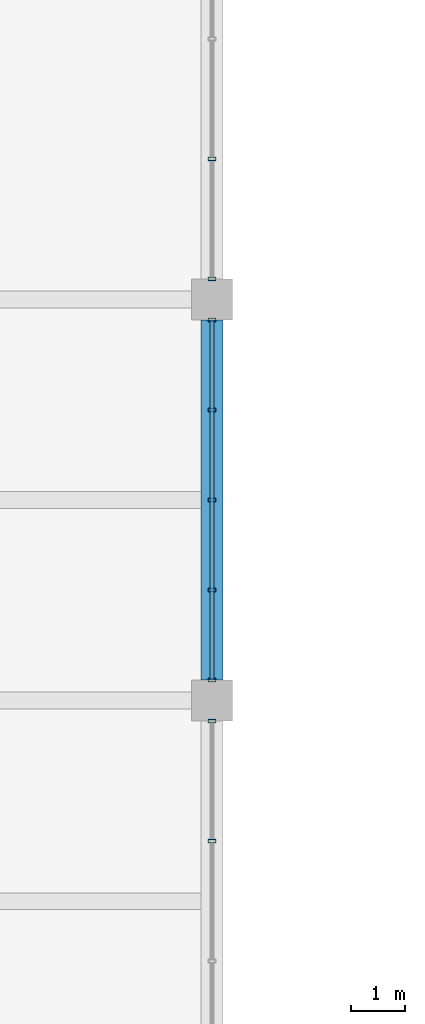
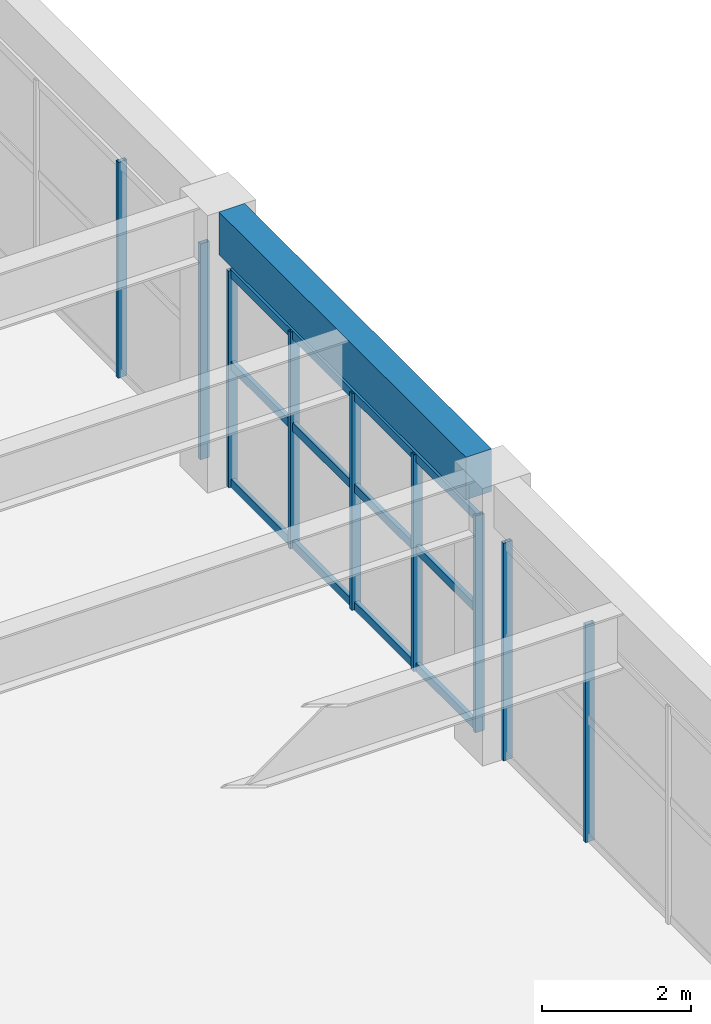
# One storey, part 60 of 161: 12 members, 1 beam, 3 elements without a shape of their own.
"""IFC4 building model written with IfcOpenShell, lengths in metres."""

from ifc_helpers import new_model, si_unit, direction, frame, origin, origin_2d, place, context, subcontext, project, spatial, rectangle, hollow_rectangle, extrude, material, material_profile, profile_set, type_object, element, aggregate, save


model = new_model("IFC4")

# Units and contexts
model_context = context("Model", 3, precision=1e-05, world=origin(), true_north=direction((0.0, 1.0)))
body_context = subcontext(model_context, "Body", "Model", "MODEL_VIEW")
ifc_project = project(units=[si_unit("LENGTHUNIT", "METRE"), si_unit("AREAUNIT", "SQUARE_METRE"), si_unit("VOLUMEUNIT", "CUBIC_METRE"), si_unit("PLANEANGLEUNIT", "RADIAN"), si_unit("MASSUNIT", "GRAM", prefix="KILO")], contexts=[model_context])

# Site, building, storey
site_placement = place(None, origin())
site = spatial("IfcSite", under=ifc_project, at=site_placement, CompositionType="ELEMENT")
building_placement = place(site_placement, origin())
building = spatial("IfcBuilding", under=site, at=building_placement, Name="Cimatlan Art Gallery", CompositionType="ELEMENT")
storey_placement = place(building_placement, frame((0.0, 0.0, 5.39990234375)))
storey = spatial("IfcBuildingStorey", under=building, at=storey_placement, Name="L01", CompositionType="ELEMENT", Elevation=5.39990234375)

# Beam
ifc_material_1 = material(Name="Concrete C40/50", Category="concrete")
ifc_material_profile_1 = material_profile(ifc_material_1, rectangle(XDim=0.39990234375, YDim=0.699951171875, at=origin_2d()), Name="RC400X700")
ifc_profile_set_1 = profile_set([ifc_material_profile_1], Name="Concrete C40/50")
beam_type = type_object("IfcBeamType", Name="BM-RC-400X700", PredefinedType="BEAM", material=ifc_profile_set_1)
beam_placement = place(storey_placement, frame((99.199951171875, 53.875, 4.210205078125), z_axis=(0.0, 1.0, 0.0), x_axis=(-1.0, 0.0, 0.0)))
element("IfcBeam", 1, at=beam_placement, inside=storey, type_object=beam_type, Name="BM-Y-L01-12-07", PredefinedType="BEAM", context=body_context, shape_type="SweptSolid", body=[
    extrude(rectangle(XDim=0.39990234375, YDim=0.699951171875, at=origin_2d()), origin(), (0.0, 0.0, 1.0), 6.64990234375),
])

# Curtain wall, members
ifc_material_2 = material(Name="Anodised bronze unitised curtain wall")
curtain_wall_type_1 = type_object("IfcCurtainWallType", Name="CW-V-06642X03577-B3", PredefinedType="NOTDEFINED", material=ifc_material_2)
curtain_wall_1_placement = place(storey_placement, origin())
curtain_wall_1 = element("IfcCurtainWall", 2, at=curtain_wall_1_placement, inside=storey, type_object=curtain_wall_type_1, Name="CW-L01-11-06-E", PredefinedType="NOTDEFINED")
ifc_material_3 = material(Name="Anodised bronze aluminium 6063-T6", Category="aluminium")
ifc_material_profile_2 = material_profile(ifc_material_3, hollow_rectangle(XDim=0.06494140625, YDim=0.139892578125, WallThickness=0.00390625, at=origin_2d()), Name="ALU65X140X4")
ifc_profile_set_2 = profile_set([ifc_material_profile_2], Name="Anodised bronze aluminium 6063-T6")
member_type_1 = type_object("IfcMemberType", Name="CW-MUL-140", PredefinedType="MULLION", material=ifc_profile_set_2)
member_1_placement = place(storey_placement, frame((99.199951171875, 53.12109375, 0.0), z_axis=(0.0, 0.0, 1.0), x_axis=(0.0, 1.0, 0.0)))
member_1 = element("IfcMember", 3, at=member_1_placement, type_object=member_type_1, Name="CW-L01-11-06-E-M1", PredefinedType="MULLION", context=body_context, shape_type="SweptSolid", body=[
    extrude(hollow_rectangle(XDim=0.06494140625, YDim=0.139892578125, WallThickness=0.00390625, at=origin_2d()), origin(), (0.0, 0.0, 1.0), 3.5771484375),
])
member_2_placement = place(storey_placement, frame((99.199951171875, 50.906982421875, 0.0), z_axis=(0.0, 0.0, 1.0), x_axis=(0.0, 1.0, 0.0)))
member_2 = element("IfcMember", 4, at=member_2_placement, type_object=member_type_1, Name="CW-L01-11-06-E-M2", PredefinedType="MULLION", context=body_context, shape_type="SweptSolid", body=[
    extrude(hollow_rectangle(XDim=0.06494140625, YDim=0.139892578125, WallThickness=0.00390625, at=origin_2d()), origin(), (0.0, 0.0, 1.0), 3.5771484375),
])
aggregate(curtain_wall_1, [member_1, member_2])

curtain_wall_type_2 = type_object("IfcCurtainWallType", Name="CW-V-06642X03562-B4", PredefinedType="NOTDEFINED", material=ifc_material_2)
curtain_wall_2_placement = place(storey_placement, origin())
curtain_wall_2 = element("IfcCurtainWall", 5, at=curtain_wall_2_placement, inside=storey, type_object=curtain_wall_type_2, Name="CW-L01-11-07-E", PredefinedType="NOTDEFINED")
member_3_placement = place(storey_placement, frame((99.199951171875, 60.52099609375, 0.0), z_axis=(0.0, 0.0, 1.0), x_axis=(0.0, 1.0, 0.0)))
member_3 = element("IfcMember", 6, at=member_3_placement, type_object=member_type_1, Name="CW-L01-11-07-E-M1", PredefinedType="MULLION", context=body_context, shape_type="SweptSolid", body=[
    extrude(hollow_rectangle(XDim=0.06494140625, YDim=0.139892578125, WallThickness=0.00390625, at=origin_2d()), origin(), (0.0, 0.0, 1.0), 3.56201171875),
])
member_4_placement = place(storey_placement, frame((99.199951171875, 58.860595703125, 0.0), z_axis=(0.0, 0.0, 1.0), x_axis=(0.0, 1.0, 0.0)))
member_4 = element("IfcMember", 7, at=member_4_placement, type_object=member_type_1, Name="CW-L01-11-07-E-M2", PredefinedType="MULLION", context=body_context, shape_type="SweptSolid", body=[
    extrude(hollow_rectangle(XDim=0.06494140625, YDim=0.139892578125, WallThickness=0.00390625, at=origin_2d()), origin(), (0.0, 0.0, 1.0), 3.56201171875),
])
member_5_placement = place(storey_placement, frame((99.199951171875, 57.199951171875, 0.0), z_axis=(0.0, 0.0, 1.0), x_axis=(0.0, 1.0, 0.0)))
member_5 = element("IfcMember", 8, at=member_5_placement, type_object=member_type_1, Name="CW-L01-11-07-E-M3", PredefinedType="MULLION", context=body_context, shape_type="SweptSolid", body=[
    extrude(hollow_rectangle(XDim=0.06494140625, YDim=0.139892578125, WallThickness=0.00390625, at=origin_2d()), origin(), (0.0, 0.0, 1.0), 3.56201171875),
])
member_6_placement = place(storey_placement, frame((99.199951171875, 55.53955078125, 0.0), z_axis=(0.0, 0.0, 1.0), x_axis=(0.0, 1.0, 0.0)))
member_6 = element("IfcMember", 9, at=member_6_placement, type_object=member_type_1, Name="CW-L01-11-07-E-M4", PredefinedType="MULLION", context=body_context, shape_type="SweptSolid", body=[
    extrude(hollow_rectangle(XDim=0.06494140625, YDim=0.139892578125, WallThickness=0.00390625, at=origin_2d()), origin(), (0.0, 0.0, 1.0), 3.56201171875),
])
member_7_placement = place(storey_placement, frame((99.199951171875, 53.87890625, 0.0), z_axis=(0.0, 0.0, 1.0), x_axis=(0.0, 1.0, 0.0)))
member_7 = element("IfcMember", 10, at=member_7_placement, type_object=member_type_1, Name="CW-L01-11-07-E-M5", PredefinedType="MULLION", context=body_context, shape_type="SweptSolid", body=[
    extrude(hollow_rectangle(XDim=0.06494140625, YDim=0.139892578125, WallThickness=0.00390625, at=origin_2d()), origin(), (0.0, 0.0, 1.0), 3.56201171875),
])

curtain_wall_type_3 = type_object("IfcCurtainWallType", Name="CW-V-06642X03547-B3", PredefinedType="NOTDEFINED", material=ifc_material_2)
curtain_wall_3_placement = place(storey_placement, origin())
curtain_wall_3 = element("IfcCurtainWall", 11, at=curtain_wall_3_placement, inside=storey, type_object=curtain_wall_type_3, Name="CW-L01-11-08-E", PredefinedType="NOTDEFINED")
member_8_placement = place(storey_placement, frame((99.199951171875, 63.492919921875, 0.0), z_axis=(0.0, 0.0, 1.0), x_axis=(0.0, 1.0, 0.0)))
member_8 = element("IfcMember", 12, at=member_8_placement, type_object=member_type_1, Name="CW-L01-11-08-E-M3", PredefinedType="MULLION", context=body_context, shape_type="SweptSolid", body=[
    extrude(hollow_rectangle(XDim=0.06494140625, YDim=0.139892578125, WallThickness=0.00390625, at=origin_2d()), origin(), (0.0, 0.0, 1.0), 3.547119140625),
])
member_9_placement = place(storey_placement, frame((99.199951171875, 61.279052734375, 0.0), z_axis=(0.0, 0.0, 1.0), x_axis=(0.0, 1.0, 0.0)))
member_9 = element("IfcMember", 13, at=member_9_placement, type_object=member_type_1, Name="CW-L01-11-08-E-M4", PredefinedType="MULLION", context=body_context, shape_type="SweptSolid", body=[
    extrude(hollow_rectangle(XDim=0.06494140625, YDim=0.139892578125, WallThickness=0.00390625, at=origin_2d()), origin(), (0.0, 0.0, 1.0), 3.547119140625),
])
aggregate(curtain_wall_3, [member_8, member_9])

# Member
ifc_material_profile_3 = material_profile(ifc_material_3, hollow_rectangle(XDim=0.06494140625, YDim=0.139892578125, WallThickness=0.00390625, at=origin_2d()), Name="ALU65X140X4")
ifc_profile_set_3 = profile_set([ifc_material_profile_3], Name="Anodised bronze aluminium 6063-T6")
member_type_2 = type_object("IfcMemberType", Name="CW-TRN-140", PredefinedType="USERDEFINED", material=ifc_profile_set_3)
member_10_placement = place(storey_placement, frame((99.199951171875, 60.52099609375, 0.06005859375), z_axis=(0.0, -1.0, 0.0), x_axis=(1.0, 0.0, 0.0)))
member_10 = element("IfcMember", 14, at=member_10_placement, type_object=member_type_2, Name="CW-L01-11-07-E-T1", ObjectType="TRANSOM", PredefinedType="USERDEFINED", context=body_context, shape_type="SweptSolid", body=[
    extrude(hollow_rectangle(XDim=0.06494140625, YDim=0.139892578125, WallThickness=0.00390625, at=origin_2d()), origin(), (0.0, 0.0, 1.0), 6.64208984375),
])

member_11_placement = place(storey_placement, frame((99.199951171875, 60.52099609375, 1.994873046875), z_axis=(0.0, -1.0, 0.0), x_axis=(1.0, 0.0, 0.0)))
member_11 = element("IfcMember", 15, at=member_11_placement, type_object=member_type_2, Name="CW-L01-11-07-E-T2", ObjectType="TRANSOM", PredefinedType="USERDEFINED", context=body_context, shape_type="SweptSolid", body=[
    extrude(hollow_rectangle(XDim=0.06494140625, YDim=0.139892578125, WallThickness=0.00390625, at=origin_2d()), origin(), (0.0, 0.0, 1.0), 6.64208984375),
])

member_12_placement = place(storey_placement, frame((99.199951171875, 60.52099609375, 3.502197265625), z_axis=(0.0, -1.0, 0.0), x_axis=(1.0, 0.0, 0.0)))
member_12 = element("IfcMember", 16, at=member_12_placement, type_object=member_type_2, Name="CW-L01-11-07-E-T3", ObjectType="TRANSOM", PredefinedType="USERDEFINED", context=body_context, shape_type="SweptSolid", body=[
    extrude(hollow_rectangle(XDim=0.06494140625, YDim=0.139892578125, WallThickness=0.00390625, at=origin_2d()), origin(), (0.0, 0.0, 1.0), 6.64208984375),
])

aggregate(curtain_wall_2, [member_3, member_4, member_5, member_6, member_7, member_10, member_11, member_12])

save(model, "model.ifc")
